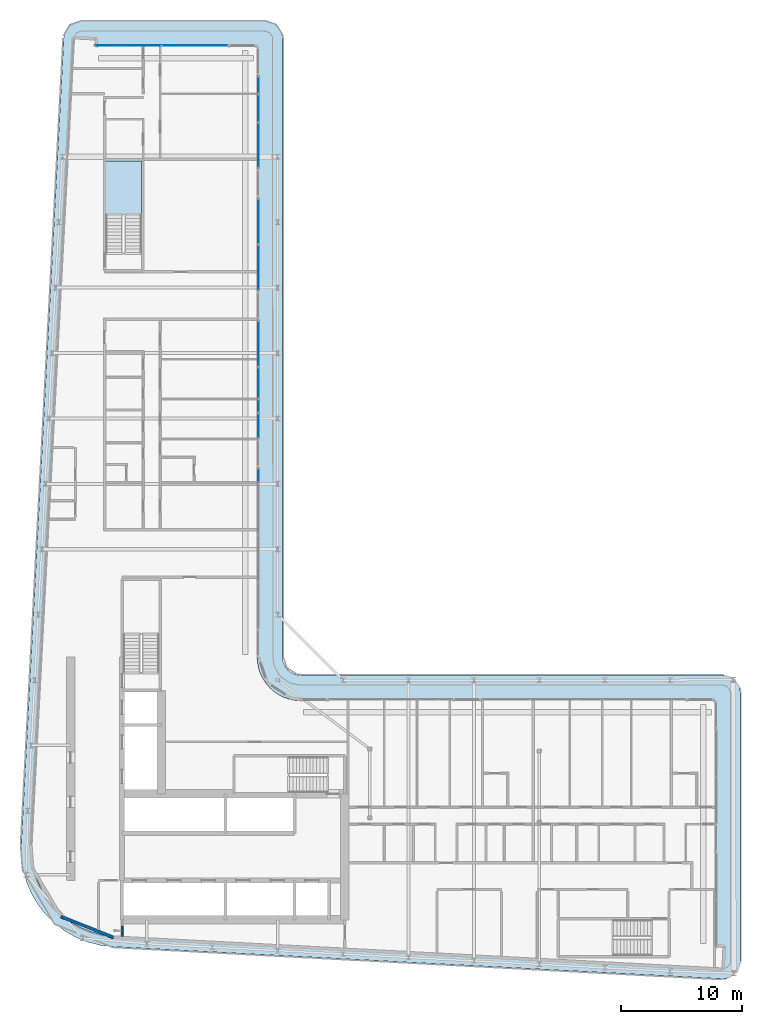
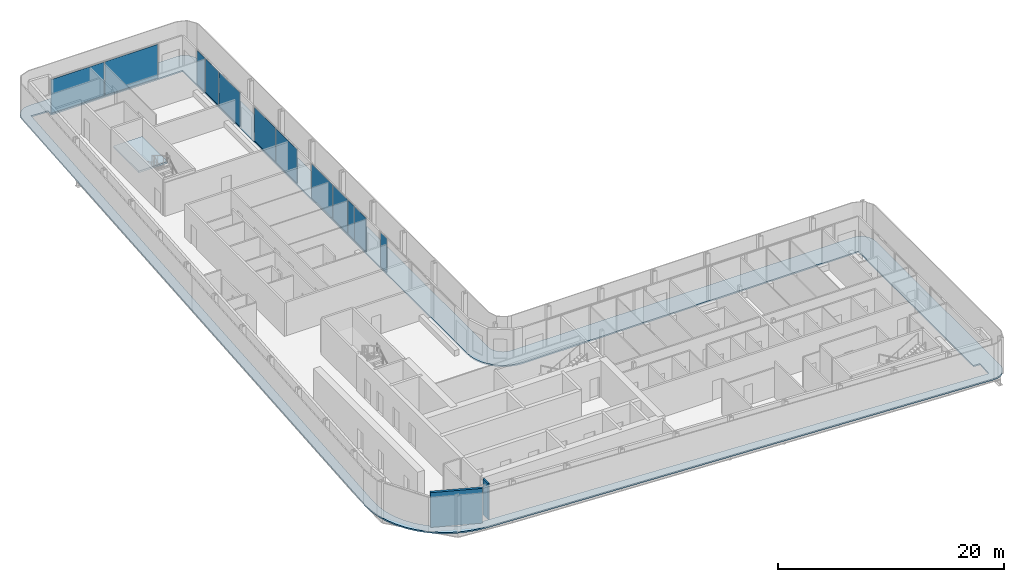
# One storey, part 9 of 23: 12 plates, 2 slabs, 2 walls, 7 elements without a shape of their own.
"""IFC4 building model written with IfcOpenShell, lengths in metres."""

from ifc_helpers import new_model, si_unit, direction, frame, frame_2d, origin, origin_2d, place, context, subcontext, project, spatial, polyline, rectangle, outline, extrude, material, layer, layer_set, type_object, element, aggregate, save


model = new_model("IFC4")

# Units and contexts
model_context = context("Model", 3, precision=1e-05, world=origin(), true_north=direction((0.0, 1.0)))
body_context = subcontext(model_context, "Body", "Model", "MODEL_VIEW")
ifc_project = project(units=[si_unit("LENGTHUNIT", "METRE"), si_unit("AREAUNIT", "SQUARE_METRE"), si_unit("VOLUMEUNIT", "CUBIC_METRE"), si_unit("PLANEANGLEUNIT", "RADIAN"), si_unit("MASSUNIT", "GRAM", prefix="KILO")], contexts=[model_context])

# Site, building, storey
site_placement = place(None, origin())
site = spatial("IfcSite", under=ifc_project, at=site_placement, CompositionType="ELEMENT")
building_placement = place(site_placement, origin())
building = spatial("IfcBuilding", under=site, at=building_placement, Name="Kheshtan School and Residences Tower", CompositionType="ELEMENT")
storey_placement = place(building_placement, frame((0.0, 0.0, 243.5)))
storey = spatial("IfcBuildingStorey", under=building, at=storey_placement, Name="L57", CompositionType="ELEMENT", Elevation=243.5)

# Curtain wall, plates
ifc_material_1 = material(Name="Clear low-e glass in thermally broken aluminium frame", Category="aluminium")
ifc_layer_1 = layer(ifc_material_1, 0.199951171875)
ifc_layer_set_1 = layer_set([ifc_layer_1], Name="Curtain wall CW-L")
curtain_wall_type = type_object("IfcCurtainWallType", Name="Curtain wall CW-L", PredefinedType="NOTDEFINED", material=ifc_layer_set_1)
curtain_wall_1_placement = place(storey_placement, origin())
curtain_wall_1 = element("IfcCurtainWall", 1, at=curtain_wall_1_placement, inside=storey, type_object=curtain_wall_type, Name="Curtain wall CWL7", PredefinedType="NOTDEFINED")
ifc_layer_2 = layer(ifc_material_1, 0.031982421875)
ifc_layer_set_2 = layer_set([ifc_layer_2], Name="CW-L glass panel")
plate_type = type_object("IfcPlateType", Name="CW-L glass panel", PredefinedType="CURTAIN_PANEL", material=ifc_layer_set_2)
plate_1_placement = place(storey_placement, frame((35.259033203125, 98.0, 0.0), z_axis=(0.0, 0.0, 1.0), x_axis=(1.0, 0.0, 0.0)))
plate_1 = element("IfcPlate", 2, at=plate_1_placement, type_object=plate_type, Name="CWL7 panel 1.1", PredefinedType="CURTAIN_PANEL", context=body_context, shape_type="SweptSolid", body=[
    extrude(rectangle(XDim=5.4140625, YDim=0.031982421875, at=origin_2d()), origin(), (0.0, 0.0, 1.0), 3.6298828125),
])
plate_2_placement = place(storey_placement, frame((40.73291015625, 98.0, 0.0), z_axis=(0.0, 0.0, 1.0), x_axis=(1.0, 0.0, 0.0)))
plate_2 = element("IfcPlate", 3, at=plate_2_placement, type_object=plate_type, Name="CWL7 panel 2.1", PredefinedType="CURTAIN_PANEL", context=body_context, shape_type="SweptSolid", body=[
    extrude(rectangle(XDim=5.4140625, YDim=0.031982421875, at=origin_2d()), origin(), (0.0, 0.0, 1.0), 3.6298828125),
])
aggregate(curtain_wall_1, [plate_1, plate_2])

curtain_wall_2_placement = place(storey_placement, origin())
curtain_wall_2 = element("IfcCurtainWall", 4, at=curtain_wall_2_placement, inside=storey, type_object=curtain_wall_type, Name="Curtain wall CWL8c", PredefinedType="NOTDEFINED")
plate_3_placement = place(storey_placement, frame((46.0, 94.735107421875, 0.0), z_axis=(0.0, 0.0, 1.0), x_axis=(0.0, -1.0, 0.0)))
plate_3 = element("IfcPlate", 5, at=plate_3_placement, type_object=plate_type, Name="CWL8c panel 1.1", PredefinedType="CURTAIN_PANEL", context=body_context, shape_type="SweptSolid", body=[
    extrude(rectangle(XDim=1.409912109375, YDim=0.031982421875, at=origin_2d()), origin(), (0.0, 0.0, 1.0), 3.6298828125),
])
plate_4_placement = place(storey_placement, frame((46.0, 92.826416015625, 0.0), z_axis=(0.0, 0.0, 1.0), x_axis=(0.0, -1.0, 0.0)))
plate_4 = element("IfcPlate", 6, at=plate_4_placement, type_object=plate_type, Name="CWL8c panel 2.1", PredefinedType="CURTAIN_PANEL", context=body_context, shape_type="SweptSolid", body=[
    extrude(rectangle(XDim=2.287109375, YDim=0.031982421875, at=origin_2d()), origin(), (0.0, 0.0, 1.0), 3.6298828125),
])
plate_5_placement = place(storey_placement, frame((46.0, 89.744384765625, 0.0), z_axis=(0.0, 0.0, 1.0), x_axis=(0.0, -1.0, 0.0)))
plate_5 = element("IfcPlate", 7, at=plate_5_placement, type_object=plate_type, Name="CWL8c panel 3.1", PredefinedType="CURTAIN_PANEL", context=body_context, shape_type="SweptSolid", body=[
    extrude(rectangle(XDim=3.757080078125, YDim=0.031982421875, at=origin_2d()), origin(), (0.0, 0.0, 1.0), 3.6298828125),
])
aggregate(curtain_wall_2, [plate_3, plate_4, plate_5])

curtain_wall_3_placement = place(storey_placement, origin())
curtain_wall_3 = element("IfcCurtainWall", 8, at=curtain_wall_3_placement, inside=storey, type_object=curtain_wall_type, Name="Curtain wall CWL8", PredefinedType="NOTDEFINED")
plate_6_placement = place(storey_placement, frame((46.0, 83.467529296875, 0.0), z_axis=(0.0, 0.0, 1.0), x_axis=(0.0, -1.0, 0.0)))
plate_6 = element("IfcPlate", 9, at=plate_6_placement, type_object=plate_type, Name="CWL8 panel 1.1", PredefinedType="CURTAIN_PANEL", context=body_context, shape_type="SweptSolid", body=[
    extrude(rectangle(XDim=3.757080078125, YDim=0.031982421875, at=origin_2d()), origin(), (0.0, 0.0, 1.0), 3.6298828125),
])
plate_7_placement = place(storey_placement, frame((46.0, 79.650390625, 0.0), z_axis=(0.0, 0.0, 1.0), x_axis=(0.0, -1.0, 0.0)))
plate_7 = element("IfcPlate", 10, at=plate_7_placement, type_object=plate_type, Name="CWL8 panel 2.1", PredefinedType="CURTAIN_PANEL", context=body_context, shape_type="SweptSolid", body=[
    extrude(rectangle(XDim=3.757080078125, YDim=0.031982421875, at=origin_2d()), origin(), (0.0, 0.0, 1.0), 3.6298828125),
])
aggregate(curtain_wall_3, [plate_6, plate_7])

curtain_wall_4_placement = place(storey_placement, origin())
curtain_wall_4 = element("IfcCurtainWall", 11, at=curtain_wall_4_placement, inside=storey, type_object=curtain_wall_type, Name="Curtain wall CWL8c", PredefinedType="NOTDEFINED")
plate_8_placement = place(storey_placement, frame((46.0, 73.37353515625, 0.0), z_axis=(0.0, 0.0, 1.0), x_axis=(0.0, -1.0, 0.0)))
plate_8 = element("IfcPlate", 12, at=plate_8_placement, type_object=plate_type, Name="CWL8c panel 1.1", PredefinedType="CURTAIN_PANEL", context=body_context, shape_type="SweptSolid", body=[
    extrude(rectangle(XDim=3.757080078125, YDim=0.031982421875, at=origin_2d()), origin(), (0.0, 0.0, 1.0), 3.6298828125),
])
plate_9_placement = place(storey_placement, frame((46.0, 70.132568359375, 0.0), z_axis=(0.0, 0.0, 1.0), x_axis=(0.0, -1.0, 0.0)))
plate_9 = element("IfcPlate", 13, at=plate_9_placement, type_object=plate_type, Name="CWL8c panel 2.1", PredefinedType="CURTAIN_PANEL", context=body_context, shape_type="SweptSolid", body=[
    extrude(rectangle(XDim=2.60498046875, YDim=0.031982421875, at=origin_2d()), origin(), (0.0, 0.0, 1.0), 3.6298828125),
])
plate_10_placement = place(storey_placement, frame((46.0, 68.22412109375, 0.0), z_axis=(0.0, 0.0, 1.0), x_axis=(0.0, -1.0, 0.0)))
plate_10 = element("IfcPlate", 14, at=plate_10_placement, type_object=plate_type, Name="CWL8c panel 3.1", PredefinedType="CURTAIN_PANEL", context=body_context, shape_type="SweptSolid", body=[
    extrude(rectangle(XDim=1.092041015625, YDim=0.031982421875, at=origin_2d()), origin(), (0.0, 0.0, 1.0), 3.6298828125),
])
aggregate(curtain_wall_4, [plate_8, plate_9, plate_10])

# Curtain wall, plate
curtain_wall_5_placement = place(storey_placement, origin())
curtain_wall_5 = element("IfcCurtainWall", 15, at=curtain_wall_5_placement, inside=storey, type_object=curtain_wall_type, Name="Curtain wall CWL8i", PredefinedType="NOTDEFINED")
plate_11_placement = place(storey_placement, frame((46.0, 66.597900390625, 0.0), z_axis=(0.0, 0.0, 1.0), x_axis=(0.0, -1.0, 0.0)))
plate_11 = element("IfcPlate", 16, at=plate_11_placement, type_object=plate_type, Name="CWL8i panel 1.1", PredefinedType="CURTAIN_PANEL", context=body_context, shape_type="SweptSolid", body=[
    extrude(rectangle(XDim=2.0400390625, YDim=0.031982421875, at=origin_2d()), origin(), (0.0, 0.0, 1.0), 3.6298828125),
])
aggregate(curtain_wall_5, [plate_11])

curtain_wall_6_placement = place(storey_placement, origin())
curtain_wall_6 = element("IfcCurtainWall", 17, at=curtain_wall_6_placement, inside=storey, type_object=curtain_wall_type, Name="Curtain wall CWL8l", PredefinedType="NOTDEFINED")
plate_12_placement = place(storey_placement, frame((46.0, 62.493896484375, 0.0), z_axis=(0.0, 0.0, 1.0), x_axis=(0.0, -1.0, 0.0)))
plate_12 = element("IfcPlate", 18, at=plate_12_placement, type_object=plate_type, Name="CWL8l panel 1.1", PredefinedType="CURTAIN_PANEL", context=body_context, shape_type="SweptSolid", body=[
    extrude(rectangle(XDim=1.1279296875, YDim=0.031982421875, at=origin_2d()), origin(), (0.0, 0.0, 1.0), 3.6298828125),
])
aggregate(curtain_wall_6, [plate_12])

# Slab
ifc_material_2 = material(Name="Concrete C40/50", Category="concrete")
ifc_layer_3 = layer(ifc_material_2, 0.14990234375)
ifc_layer_set_3 = layer_set([ifc_layer_3], Name="Loggia balcony slab 150 Concrete C40/50")
slab_type_1 = type_object("IfcSlabType", Name="Loggia balcony slab 150 Concrete C40/50", PredefinedType="FLOOR", material=ifc_layer_set_3)
slab_1_placement = place(storey_placement, frame((0.0, 0.0, -0.14990234375)))
element("IfcSlab", 19, at=slab_1_placement, inside=storey, type_object=slab_type_1, Name="Loggia balcony slab L57", PredefinedType="FLOOR", context=body_context, shape_type="SweptSolid", body=[
    extrude(outline(polyline([(28.4580078125, 26.222900390625), (28.45703125, 26.222900390625), (28.45703125, 26.22412109375), (28.4560546875, 26.22412109375), (27.81494140625, 27.0390625), (27.281005859375, 27.93798828125), (26.867919921875, 28.89990234375), (26.583984375, 29.89990234375), (26.583984375, 29.906982421875), (26.43408203125, 30.943115234375), (26.419921875, 31.989013671875), (29.925048828125, 98.5791015625), (29.930908203125, 98.626953125), (29.930908203125, 98.6279296875), (29.929931640625, 98.6279296875), (29.929931640625, 98.62890625), (29.928955078125, 98.62890625), (29.928955078125, 98.6298828125), (29.927978515625, 98.6298828125), (29.927978515625, 98.631103515625), (29.927001953125, 98.631103515625), (29.927001953125, 98.632080078125), (29.927001953125, 98.633056640625), (29.945068359375, 98.781005859375), (29.945068359375, 98.783935546875), (29.945068359375, 98.784912109375), (29.946044921875, 98.784912109375), (29.946044921875, 98.785888671875), (29.947021484375, 98.785888671875), (29.947021484375, 98.787109375), (29.947998046875, 98.787109375), (29.948974609375, 98.787109375), (29.948974609375, 98.7880859375), (29.949951171875, 98.7880859375), (29.949951171875, 98.7890625), (29.949951171875, 98.791015625), (30.0029296875, 98.98388671875), (30.083984375, 99.175048828125), (30.18896484375, 99.35302734375), (30.31103515625, 99.507080078125), (30.31201171875, 99.507080078125), (30.31201171875, 99.508056640625), (30.31298828125, 99.508056640625), (30.31298828125, 99.509033203125), (30.31396484375, 99.509033203125), (30.31396484375, 99.510009765625), (30.31494140625, 99.510009765625), (30.31494140625, 99.510986328125), (30.31591796875, 99.510986328125), (30.31591796875, 99.511962890625), (30.31689453125, 99.511962890625), (30.31689453125, 99.512939453125), (30.318115234375, 99.512939453125), (30.322021484375, 99.512939453125), (30.322998046875, 99.512939453125), (30.322998046875, 99.513916015625), (30.468017578125, 99.656982421875), (30.468994140625, 99.656982421875), (30.468994140625, 99.657958984375), (30.469970703125, 99.657958984375), (30.469970703125, 99.658935546875), (30.470947265625, 99.658935546875), (30.470947265625, 99.659912109375), (30.471923828125, 99.659912109375), (30.471923828125, 99.660888671875), (30.472900390625, 99.660888671875), (30.472900390625, 99.662109375), (30.47412109375, 99.662109375), (30.47412109375, 99.6630859375), (30.47509765625, 99.6630859375), (30.47509765625, 99.6640625), (30.635986328125, 99.777099609375), (30.820068359375, 99.873046875), (31.007080078125, 99.943115234375), (31.013916015625, 99.943115234375), (31.217041015625, 99.986083984375), (31.423095703125, 100.0), (46.5, 100.0), (46.696044921875, 99.987060546875), (46.887939453125, 99.948974609375), (46.89501953125, 99.948974609375), (47.073974609375, 99.885986328125), (47.242919921875, 99.801025390625), (47.243896484375, 99.801025390625), (47.2470703125, 99.801025390625), (47.248046875, 99.801025390625), (47.248046875, 99.802001953125), (47.2490234375, 99.802001953125), (47.2490234375, 99.802978515625), (47.25, 99.802978515625), (47.2529296875, 99.802978515625), (47.25390625, 99.802978515625), (47.25390625, 99.802001953125), (47.2548828125, 99.802001953125), (47.2548828125, 99.801025390625), (47.256103515625, 99.801025390625), (47.256103515625, 99.800048828125), (47.257080078125, 99.800048828125), (47.257080078125, 99.799072265625), (47.258056640625, 99.799072265625), (47.258056640625, 99.798095703125), (47.412109375, 99.696044921875), (47.4130859375, 99.696044921875), (47.4130859375, 99.695068359375), (47.4140625, 99.695068359375), (47.4140625, 99.694091796875), (47.4140625, 99.68994140625), (47.4140625, 99.68896484375), (47.4150390625, 99.68896484375), (47.4150390625, 99.68798828125), (47.416015625, 99.68798828125), (47.416015625, 99.68701171875), (47.4169921875, 99.68701171875), (47.4169921875, 99.68603515625), (47.554931640625, 99.568115234375), (47.554931640625, 99.56689453125), (47.555908203125, 99.56689453125), (47.555908203125, 99.56591796875), (47.556884765625, 99.56591796875), (47.556884765625, 99.56494140625), (47.55810546875, 99.56494140625), (47.55810546875, 99.56396484375), (47.55908203125, 99.56396484375), (47.55908203125, 99.56298828125), (47.56005859375, 99.56298828125), (47.56005859375, 99.56201171875), (47.56103515625, 99.56201171875), (47.56201171875, 99.56103515625), (47.56201171875, 99.56005859375), (47.56298828125, 99.56005859375), (47.56298828125, 99.55908203125), (47.56396484375, 99.55908203125), (47.56396484375, 99.55810546875), (47.56494140625, 99.55810546875), (47.56494140625, 99.556884765625), (47.56591796875, 99.556884765625), (47.56591796875, 99.555908203125), (47.56689453125, 99.555908203125), (47.56689453125, 99.554931640625), (47.568115234375, 99.554931640625), (47.68505859375, 99.41796875), (47.68603515625, 99.41796875), (47.68603515625, 99.4169921875), (47.68701171875, 99.4169921875), (47.68701171875, 99.416015625), (47.68798828125, 99.416015625), (47.68798828125, 99.4150390625), (47.68896484375, 99.4150390625), (47.68896484375, 99.4140625), (47.68994140625, 99.4140625), (47.694091796875, 99.4140625), (47.695068359375, 99.4140625), (47.695068359375, 99.4130859375), (47.696044921875, 99.4130859375), (47.696044921875, 99.412109375), (47.797119140625, 99.259033203125), (47.798095703125, 99.259033203125), (47.798095703125, 99.258056640625), (47.799072265625, 99.258056640625), (47.799072265625, 99.257080078125), (47.800048828125, 99.257080078125), (47.800048828125, 99.256103515625), (47.801025390625, 99.256103515625), (47.801025390625, 99.2548828125), (47.802001953125, 99.2548828125), (47.802001953125, 99.25390625), (47.802978515625, 99.25390625), (47.802978515625, 99.2529296875), (47.802978515625, 99.25), (47.802978515625, 99.2490234375), (47.802001953125, 99.2490234375), (47.802001953125, 99.248046875), (47.801025390625, 99.248046875), (47.801025390625, 99.2470703125), (47.801025390625, 99.242919921875), (47.801025390625, 99.241943359375), (47.885986328125, 99.073974609375), (47.948974609375, 98.89501953125), (47.948974609375, 98.887939453125), (47.987060546875, 98.696044921875), (48.0, 98.5), (48.0, 47.5), (48.012939453125, 47.303955078125), (48.051025390625, 47.113037109375), (48.051025390625, 47.10693359375), (48.051025390625, 47.10595703125), (48.114013671875, 46.926025390625), (48.200927734375, 46.75), (48.31005859375, 46.5869140625), (48.431884765625, 46.444091796875), (48.43310546875, 46.444091796875), (48.43310546875, 46.443115234375), (48.43408203125, 46.443115234375), (48.43408203125, 46.44189453125), (48.43505859375, 46.44189453125), (48.43505859375, 46.44091796875), (48.43603515625, 46.44091796875), (48.43603515625, 46.43994140625), (48.43701171875, 46.43994140625), (48.43701171875, 46.43896484375), (48.43798828125, 46.43896484375), (48.43896484375, 46.43798828125), (48.43896484375, 46.43701171875), (48.43994140625, 46.43701171875), (48.43994140625, 46.43603515625), (48.44091796875, 46.43603515625), (48.44091796875, 46.43505859375), (48.44189453125, 46.43505859375), (48.44189453125, 46.43408203125), (48.443115234375, 46.43408203125), (48.443115234375, 46.43310546875), (48.444091796875, 46.43310546875), (48.444091796875, 46.431884765625), (48.5869140625, 46.31005859375), (48.75, 46.200927734375), (48.926025390625, 46.114013671875), (49.10595703125, 46.051025390625), (49.10693359375, 46.051025390625), (49.113037109375, 46.051025390625), (49.303955078125, 46.012939453125), (49.5, 46.0), (84.300048828125, 46.0), (84.49609375, 45.987060546875), (84.68798828125, 45.948974609375), (84.695068359375, 45.948974609375), (84.8740234375, 45.885986328125), (85.0419921875, 45.801025390625), (85.04296875, 45.801025390625), (85.047119140625, 45.801025390625), (85.048095703125, 45.801025390625), (85.048095703125, 45.802001953125), (85.049072265625, 45.802001953125), (85.049072265625, 45.802978515625), (85.050048828125, 45.802978515625), (85.052978515625, 45.802978515625), (85.053955078125, 45.802978515625), (85.053955078125, 45.802001953125), (85.054931640625, 45.802001953125), (85.054931640625, 45.801025390625), (85.055908203125, 45.801025390625), (85.055908203125, 45.800048828125), (85.056884765625, 45.800048828125), (85.056884765625, 45.799072265625), (85.05810546875, 45.799072265625), (85.05810546875, 45.798095703125), (85.05908203125, 45.798095703125), (85.05908203125, 45.797119140625), (85.06005859375, 45.797119140625), (85.06005859375, 45.7958984375), (85.2119140625, 45.696044921875), (85.212890625, 45.696044921875), (85.212890625, 45.695068359375), (85.214111328125, 45.695068359375), (85.214111328125, 45.694091796875), (85.214111328125, 45.68994140625), (85.214111328125, 45.68896484375), (85.215087890625, 45.68896484375), (85.215087890625, 45.68798828125), (85.216064453125, 45.68798828125), (85.216064453125, 45.68701171875), (85.217041015625, 45.68701171875), (85.217041015625, 45.68603515625), (85.218017578125, 45.68603515625), (85.218017578125, 45.68505859375), (85.218994140625, 45.68505859375), (85.218994140625, 45.68408203125), (85.35498046875, 45.568115234375), (85.35498046875, 45.56689453125), (85.35595703125, 45.56689453125), (85.35595703125, 45.56591796875), (85.35693359375, 45.56591796875), (85.35693359375, 45.56494140625), (85.35791015625, 45.56494140625), (85.35791015625, 45.56396484375), (85.35888671875, 45.56396484375), (85.35888671875, 45.56298828125), (85.360107421875, 45.56298828125), (85.360107421875, 45.56201171875), (85.361083984375, 45.56201171875), (85.362060546875, 45.56103515625), (85.362060546875, 45.56005859375), (85.363037109375, 45.56005859375), (85.363037109375, 45.55908203125), (85.364013671875, 45.55908203125), (85.364013671875, 45.55810546875), (85.364990234375, 45.55810546875), (85.364990234375, 45.556884765625), (85.365966796875, 45.556884765625), (85.365966796875, 45.555908203125), (85.366943359375, 45.555908203125), (85.366943359375, 45.554931640625), (85.367919921875, 45.554931640625), (85.48193359375, 45.4208984375), (85.48291015625, 45.4208984375), (85.48291015625, 45.419921875), (85.48388671875, 45.419921875), (85.48388671875, 45.4189453125), (85.485107421875, 45.4189453125), (85.485107421875, 45.41796875), (85.486083984375, 45.41796875), (85.486083984375, 45.4169921875), (85.487060546875, 45.4169921875), (85.487060546875, 45.416015625), (85.488037109375, 45.416015625), (85.488037109375, 45.4150390625), (85.489013671875, 45.4150390625), (85.489013671875, 45.4140625), (85.489990234375, 45.4140625), (85.493896484375, 45.4140625), (85.4951171875, 45.4140625), (85.4951171875, 45.4130859375), (85.49609375, 45.4130859375), (85.49609375, 45.412109375), (85.593994140625, 45.261962890625), (85.594970703125, 45.261962890625), (85.594970703125, 45.260986328125), (85.595947265625, 45.260986328125), (85.595947265625, 45.260009765625), (85.596923828125, 45.260009765625), (85.596923828125, 45.259033203125), (85.597900390625, 45.259033203125), (85.597900390625, 45.258056640625), (85.59912109375, 45.258056640625), (85.59912109375, 45.257080078125), (85.60009765625, 45.257080078125), (85.60009765625, 45.256103515625), (85.60107421875, 45.256103515625), (85.60107421875, 45.2548828125), (85.60205078125, 45.2548828125), (85.60205078125, 45.25390625), (85.60302734375, 45.25390625), (85.60302734375, 45.2529296875), (85.60302734375, 45.25), (85.60302734375, 45.2490234375), (85.60205078125, 45.2490234375), (85.60205078125, 45.248046875), (85.60107421875, 45.248046875), (85.60107421875, 45.2470703125), (85.60107421875, 45.240966796875), (85.60107421875, 45.239990234375), (85.68603515625, 45.073974609375), (85.7490234375, 44.89501953125), (85.7490234375, 44.887939453125), (85.787109375, 44.696044921875), (85.800048828125, 44.5), (85.800048828125, 22.43408203125), (85.785888671875, 22.23095703125), (85.7451171875, 22.032958984375), (85.7451171875, 22.02587890625), (85.677978515625, 21.841064453125), (85.5859375, 21.660888671875), (85.470947265625, 21.49609375), (85.470947265625, 21.4951171875), (85.470947265625, 21.493896484375), (85.470947265625, 21.492919921875), (85.471923828125, 21.492919921875), (85.471923828125, 21.491943359375), (85.471923828125, 21.489990234375), (85.471923828125, 21.489013671875), (85.470947265625, 21.489013671875), (85.470947265625, 21.488037109375), (85.337890625, 21.343994140625), (85.3349609375, 21.341064453125), (85.333984375, 21.341064453125), (85.333984375, 21.340087890625), (85.3330078125, 21.340087890625), (85.3310546875, 21.340087890625), (85.330078125, 21.340087890625), (85.330078125, 21.341064453125), (85.3291015625, 21.341064453125), (85.327880859375, 21.341064453125), (85.326904296875, 21.341064453125), (85.176025390625, 21.216064453125), (85.00390625, 21.10888671875), (84.819091796875, 21.02587890625), (84.631103515625, 20.968994140625), (84.6240234375, 20.968994140625), (84.424072265625, 20.93896484375), (84.220947265625, 20.93603515625), (33.989013671875, 23.580078125), (33.94189453125, 23.5859375), (33.94091796875, 23.5859375), (33.93994140625, 23.5859375), (33.93994140625, 23.5849609375), (33.93896484375, 23.5849609375), (33.93896484375, 23.583984375), (33.93798828125, 23.583984375), (33.93798828125, 23.5830078125), (33.93701171875, 23.5830078125), (33.93701171875, 23.58203125), (33.93603515625, 23.58203125), (33.93505859375, 23.58203125), (32.952880859375, 23.697998046875), (32.949951171875, 23.697998046875), (32.948974609375, 23.697998046875), (32.948974609375, 23.698974609375), (32.947998046875, 23.698974609375), (32.947998046875, 23.699951171875), (32.947021484375, 23.699951171875), (32.947021484375, 23.700927734375), (32.947021484375, 23.702880859375), (32.947021484375, 23.7041015625), (32.946044921875, 23.7041015625), (32.946044921875, 23.705078125), (32.945068359375, 23.705078125), (32.944091796875, 23.705078125), (31.93603515625, 23.9609375), (31.928955078125, 23.9609375), (30.964111328125, 24.34912109375), (30.051025390625, 24.860107421875), (29.218994140625, 25.47900390625), (29.218994140625, 25.47998046875), (29.218017578125, 25.47998046875), (29.218017578125, 25.48095703125), (29.217041015625, 25.48095703125), (29.217041015625, 25.48193359375), (29.216064453125, 25.48193359375), (29.216064453125, 25.48291015625), (29.215087890625, 25.48291015625), (29.215087890625, 25.48388671875), (29.214111328125, 25.48388671875), (29.214111328125, 25.485107421875), (29.212890625, 25.485107421875), (29.212890625, 25.486083984375), (29.2119140625, 25.486083984375), (28.468017578125, 26.217041015625), (28.468017578125, 26.218017578125), (28.467041015625, 26.218017578125), (28.462890625, 26.218017578125), (28.4619140625, 26.218017578125), (28.4619140625, 26.218994140625), (28.4609375, 26.218994140625), (28.4609375, 26.219970703125), (28.4599609375, 26.219970703125), (28.4599609375, 26.220947265625), (28.458984375, 26.220947265625), (28.458984375, 26.221923828125), (28.4580078125, 26.221923828125), (28.4580078125, 26.222900390625)]), holes=[polyline([(29.12890625, 26.824951171875), (29.12890625, 26.823974609375), (29.1298828125, 26.823974609375), (29.1298828125, 26.822998046875), (29.131103515625, 26.822998046875), (29.131103515625, 26.822021484375), (29.132080078125, 26.822021484375), (29.132080078125, 26.821044921875), (29.133056640625, 26.821044921875), (29.133056640625, 26.820068359375), (29.134033203125, 26.820068359375), (29.7939453125, 26.173095703125), (29.7939453125, 26.172119140625), (29.794921875, 26.172119140625), (29.798095703125, 26.172119140625), (29.799072265625, 26.172119140625), (29.799072265625, 26.1708984375), (29.800048828125, 26.1708984375), (29.800048828125, 26.169921875), (29.801025390625, 26.169921875), (29.801025390625, 26.1689453125), (29.802001953125, 26.1689453125), (29.802001953125, 26.16796875), (29.802978515625, 26.16796875), (29.802978515625, 26.1669921875), (29.803955078125, 26.1669921875), (29.803955078125, 26.166015625), (30.541015625, 25.616943359375), (31.35205078125, 25.1630859375), (32.208984375, 24.819091796875), (32.2099609375, 24.819091796875), (32.216064453125, 24.819091796875), (33.114990234375, 24.590087890625), (34.06591796875, 24.47705078125), (84.238037109375, 21.8359375), (84.264892578125, 21.8369140625), (84.26611328125, 21.8369140625), (84.26708984375, 21.8369140625), (84.26708984375, 21.837890625), (84.26806640625, 21.837890625), (84.26806640625, 21.839111328125), (84.26806640625, 21.840087890625), (84.35791015625, 23.529052734375), (84.35791015625, 23.530029296875), (84.35791015625, 23.531005859375), (84.35693359375, 23.531005859375), (84.35693359375, 23.531982421875), (84.35595703125, 23.531982421875), (84.35498046875, 23.531982421875), (83.700927734375, 23.56689453125), (83.699951171875, 23.56689453125), (83.699951171875, 23.568115234375), (83.699951171875, 43.89794921875), (83.699951171875, 43.89892578125), (83.698974609375, 43.89892578125), (83.698974609375, 43.89990234375), (83.697998046875, 43.89990234375), (49.429931640625, 43.89990234375), (49.030029296875, 43.927001953125), (48.569091796875, 44.01806640625), (48.56201171875, 44.01806640625), (48.1201171875, 44.169921875), (47.697021484375, 44.37890625), (47.30810546875, 44.638916015625), (46.95703125, 44.944091796875), (46.95703125, 44.945068359375), (46.9560546875, 44.945068359375), (46.9560546875, 44.946044921875), (46.955078125, 44.946044921875), (46.955078125, 44.947021484375), (46.9541015625, 44.947021484375), (46.9541015625, 44.947998046875), (46.952880859375, 44.947998046875), (46.952880859375, 44.948974609375), (46.951904296875, 44.948974609375), (46.951904296875, 44.949951171875), (46.951904296875, 44.950927734375), (46.950927734375, 44.950927734375), (46.950927734375, 44.951904296875), (46.949951171875, 44.951904296875), (46.948974609375, 44.951904296875), (46.948974609375, 44.952880859375), (46.947998046875, 44.952880859375), (46.947998046875, 44.9541015625), (46.947021484375, 44.9541015625), (46.947021484375, 44.955078125), (46.946044921875, 44.955078125), (46.946044921875, 44.9560546875), (46.945068359375, 44.9560546875), (46.945068359375, 44.95703125), (46.944091796875, 44.95703125), (46.638916015625, 45.30810546875), (46.37890625, 45.697021484375), (46.169921875, 46.1201171875), (46.01806640625, 46.56201171875), (46.01806640625, 46.569091796875), (45.927001953125, 47.030029296875), (45.89990234375, 47.429931640625), (45.89990234375, 97.89794921875), (45.89990234375, 97.89892578125), (45.89892578125, 97.89892578125), (45.89892578125, 97.89990234375), (45.89794921875, 97.89990234375), (32.492919921875, 97.89990234375), (32.491943359375, 97.89990234375), (32.52099609375, 98.43896484375), (32.52099609375, 98.43994140625), (32.52099609375, 98.44091796875), (32.52001953125, 98.44091796875), (32.52001953125, 98.44189453125), (32.51904296875, 98.44189453125), (32.51806640625, 98.44189453125), (30.8291015625, 98.531982421875), (30.827880859375, 98.531982421875), (30.826904296875, 98.531982421875), (30.826904296875, 98.531005859375), (30.825927734375, 98.531005859375), (30.825927734375, 98.530029296875), (30.825927734375, 98.529052734375), (30.822021484375, 98.5009765625), (27.320068359375, 31.970947265625), (27.3330078125, 31.013916015625), (27.466064453125, 30.093994140625), (27.466064453125, 30.087890625), (27.466064453125, 30.0869140625), (27.718017578125, 29.200927734375), (28.0849609375, 28.345947265625), (28.55908203125, 27.550048828125), (29.126953125, 26.825927734375), (29.1279296875, 26.825927734375), (29.1279296875, 26.824951171875), (29.12890625, 26.824951171875)])]), origin(), (0.0, 0.0, 1.0), 0.14990234375),
])

# Stair, slab
stair_type = type_object("IfcStairType", Name="Exit stair, half-turn", PredefinedType="HALF_TURN_STAIR", material=ifc_material_2)
stair_placement = place(storey_placement, origin())
stair = element("IfcStair", 20, at=stair_placement, inside=storey, type_object=stair_type, Name="L57 Protected Exit Stair ST3", PredefinedType="HALF_TURN_STAIR")
ifc_layer_4 = layer(ifc_material_2, 0.199951171875)
ifc_layer_set_4 = layer_set([ifc_layer_4], Name="Stair landing 200 Concrete C40/50")
slab_type_2 = type_object("IfcSlabType", Name="Stair landing 200 Concrete C40/50", PredefinedType="LANDING", material=ifc_layer_set_4)
slab_2_placement = place(storey_placement, frame((0.0, 0.0, 1.75)))
slab_2 = element("IfcSlab", 21, at=slab_2_placement, type_object=slab_type_2, Name="ST3 landing 1", PredefinedType="LANDING", context=body_context, shape_type="SweptSolid", body=[
    extrude(outline(polyline([(36.35009765625, 83.97998046875), (36.35009765625, 88.4599609375), (33.39990234375, 88.4599609375), (33.39990234375, 83.97998046875), (36.35009765625, 83.97998046875)])), origin(), (0.0, 0.0, 1.0), 0.199951171875),
])
aggregate(stair, [slab_2])

# Walls
ifc_material_3 = material(Name="Concrete C40/50 with ceramic cladding and mineral wool insulation", Category="concrete")
ifc_layer_5 = layer(ifc_material_3, 0.25)
ifc_layer_set_5 = layer_set([ifc_layer_5], Name="External wall 250 ceramic clad")
wall_type_1 = type_object("IfcWallType", Name="External wall 250 ceramic clad", PredefinedType="SOLIDWALL", material=ifc_layer_set_5)
wall_1_placement = place(storey_placement, frame((34.0390625, 24.35302734375, 0.0), z_axis=(0.0, 0.0, 1.0), x_axis=(-0.929352825399, 0.369192803184, 0.0)))
element("IfcWall", 22, at=wall_1_placement, inside=storey, type_object=wall_type_1, Name="External wall L57 1", PredefinedType="SOLIDWALL", context=body_context, shape_type="SweptSolid", body=[
    extrude(rectangle(XDim=4.656005859375, YDim=0.25, at=frame_2d((2.328125, 0.0))), origin(), (0.0, 0.0, 1.0), 3.75),
])
ifc_material_4 = material(Name="Fire-board shaft wall system")
ifc_layer_6 = layer(ifc_material_4, 0.14990234375)
ifc_layer_set_6 = layer_set([ifc_layer_6], Name="Service room wall 150")
wall_type_2 = type_object("IfcWallType", Name="Service room wall 150", PredefinedType="PARTITIONING", material=ifc_layer_set_6)
wall_2_placement = place(storey_placement, frame((34.75, 24.444091796875, 0.0), z_axis=(0.0, 0.0, 1.0), x_axis=(0.0, 1.0, 0.0)))
element("IfcWall", 23, at=wall_2_placement, inside=storey, type_object=wall_type_2, Name="Service room wall", PredefinedType="PARTITIONING", context=body_context, shape_type="SweptSolid", body=[
    extrude(rectangle(XDim=0.885986328125, YDim=0.14990234375, at=frame_2d((0.44287109375, 0.0))), origin(), (0.0, 0.0, 1.0), 3.89990234375),
])

save(model, "model.ifc")
